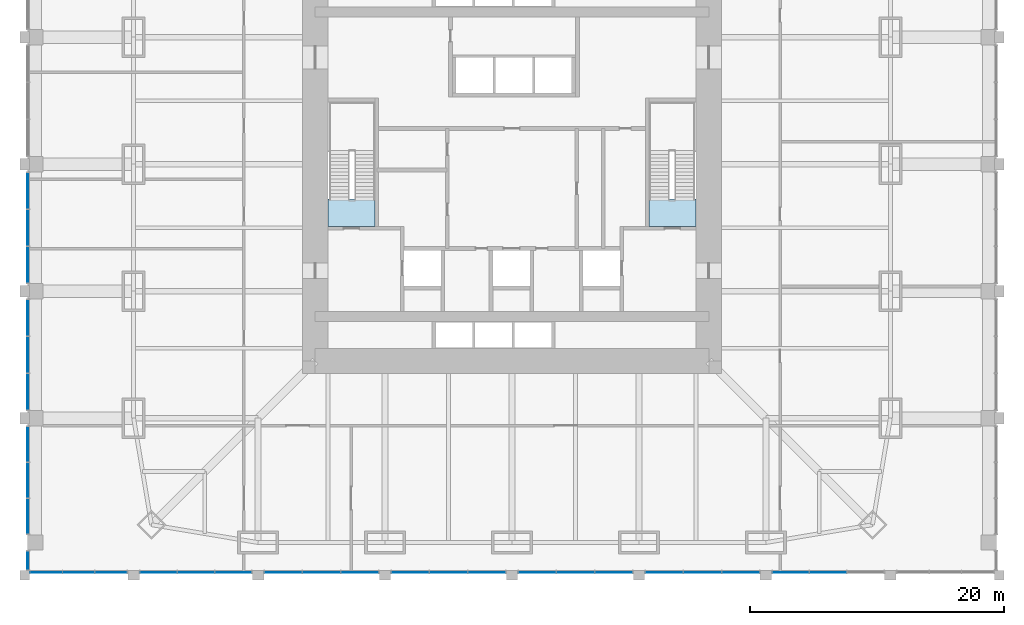
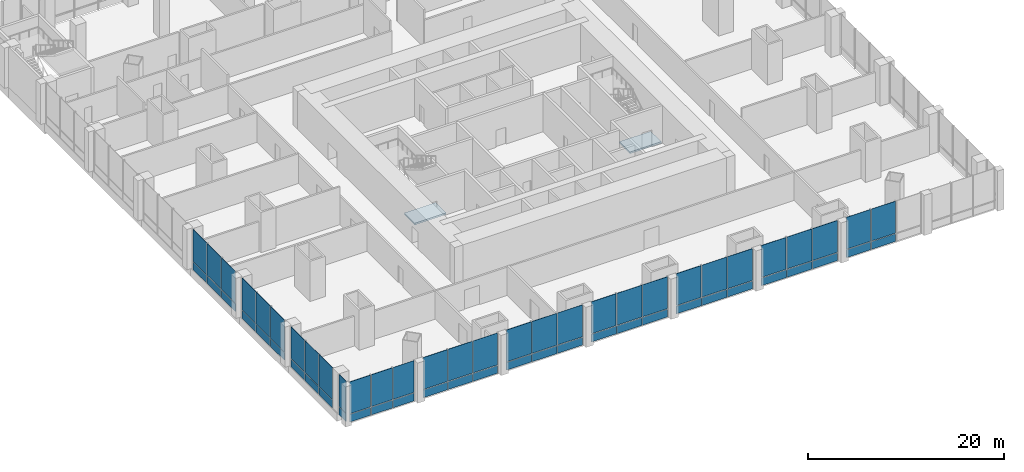
# One storey, part 13 of 24: 60 plates, 2 slabs, 13 elements without a shape of their own.
"""IFC4 building model written with IfcOpenShell, lengths in metres."""

from ifc_helpers import new_model, si_unit, direction, frame, origin, origin_2d, place, context, subcontext, project, spatial, polyline, rectangle, outline, extrude, material, layer, layer_set, type_object, element, aggregate, save


model = new_model("IFC4")

# Units and contexts
model_context = context("Model", 3, precision=1e-05, world=origin(), true_north=direction((0.0, 1.0)))
body_context = subcontext(model_context, "Body", "Model", "MODEL_VIEW")
ifc_project = project(units=[si_unit("LENGTHUNIT", "METRE"), si_unit("AREAUNIT", "SQUARE_METRE"), si_unit("VOLUMEUNIT", "CUBIC_METRE"), si_unit("PLANEANGLEUNIT", "RADIAN"), si_unit("MASSUNIT", "GRAM", prefix="KILO")], contexts=[model_context])

# Site, building, storey
site_placement = place(None, origin())
site = spatial("IfcSite", under=ifc_project, at=site_placement, CompositionType="ELEMENT")
building_placement = place(site_placement, origin())
building = spatial("IfcBuilding", under=site, at=building_placement, Name="Khuree Lantern Residences", CompositionType="ELEMENT")
storey_placement = place(building_placement, frame((0.0, 0.0, 11.0)))
storey = spatial("IfcBuildingStorey", under=building, at=storey_placement, Name="L02", CompositionType="ELEMENT", Elevation=11.0)

# Stair, slab
ifc_material_1 = material(Name="Concrete C40/50", Category="concrete")
stair_type = type_object("IfcStairType", Name="STAIR ST1 HALF TURN 3600", PredefinedType="HALF_TURN_STAIR", material=ifc_material_1)
stair_1_placement = place(storey_placement, origin())
stair_1 = element("IfcStair", 1, at=stair_1_placement, inside=storey, type_object=stair_type, Name="Stair ST1", PredefinedType="HALF_TURN_STAIR")
ifc_layer_1 = layer(ifc_material_1, 0.199951171875)
ifc_layer_set_1 = layer_set([ifc_layer_1], Name="STAIR LANDING SL1 200")
slab_type = type_object("IfcSlabType", Name="STAIR LANDING SL1 200", PredefinedType="LANDING", material=ifc_layer_set_1)
slab_1_placement = place(storey_placement, frame((0.0, 0.0, -0.199951171875)))
slab_1 = element("IfcSlab", 2, at=slab_1_placement, type_object=slab_type, Name="ST1 landing 1", PredefinedType="LANDING", context=body_context, shape_type="SweptSolid", body=[
    extrude(outline(polyline([(-14.5, -4.89990234375), (-10.800048828125, -4.89990234375), (-10.800048828125, -2.760009765625), (-14.5, -2.760009765625), (-14.5, -4.89990234375)])), origin(), (0.0, 0.0, 1.0), 0.199951171875),
])
aggregate(stair_1, [slab_1])

stair_2_placement = place(storey_placement, origin())
stair_2 = element("IfcStair", 3, at=stair_2_placement, inside=storey, type_object=stair_type, Name="Stair ST2", PredefinedType="HALF_TURN_STAIR")
slab_2_placement = place(storey_placement, frame((0.0, 0.0, -0.199951171875)))
slab_2 = element("IfcSlab", 4, at=slab_2_placement, type_object=slab_type, Name="ST2 landing 1", PredefinedType="LANDING", context=body_context, shape_type="SweptSolid", body=[
    extrude(outline(polyline([(10.800048828125, -4.89990234375), (14.5, -4.89990234375), (14.5, -2.760009765625), (10.800048828125, -2.760009765625), (10.800048828125, -4.89990234375)])), origin(), (0.0, 0.0, 1.0), 0.199951171875),
])
aggregate(stair_2, [slab_2])

# Curtain wall, plates
ifc_material_2 = material(Name="Bronze anodised aluminium", Category="aluminium")
curtain_wall_type = type_object("IfcCurtainWallType", Name="CW-P PODIUM STOREFRONT CURTAIN WALL", PredefinedType="USERDEFINED", material=ifc_material_2)
curtain_wall_1_placement = place(storey_placement, origin())
curtain_wall_1 = element("IfcCurtainWall", 5, at=curtain_wall_1_placement, inside=storey, type_object=curtain_wall_type, Name="L02 SOUTH FACE BAY 1 STOREFRONT", ObjectType="Storefront curtain wall", PredefinedType="USERDEFINED")
ifc_material_3 = material(Name="Bronze tinted laminated triple glazing", Category="glass")
ifc_layer_2 = layer(ifc_material_3, 0.0400390625)
ifc_layer_set_2 = layer_set([ifc_layer_2], Name="STOREFRONT GLASS PANEL P9")
plate_type_1 = type_object("IfcPlateType", Name="STOREFRONT GLASS PANEL P9", PredefinedType="CURTAIN_PANEL", material=ifc_layer_set_2)
plate_1_placement = place(storey_placement, frame((-36.683349609375, -32.14990234375, 1.03759765625), z_axis=(0.0, 0.0, 1.0), x_axis=(1.0, 0.0, 0.0)))
plate_1 = element("IfcPlate", 6, at=plate_1_placement, type_object=plate_type_1, Name="L02 SOUTH FACE BAY 1 PANEL 1.2", PredefinedType="CURTAIN_PANEL", context=body_context, shape_type="SweptSolid", body=[
    extrude(rectangle(XDim=2.4833984375, YDim=0.0400390625, at=origin_2d()), origin(), (0.0, 0.0, 1.0), 3.96240234375),
])
plate_2_placement = place(storey_placement, frame((-34.125, -32.14990234375, 1.03759765625), z_axis=(0.0, 0.0, 1.0), x_axis=(1.0, 0.0, 0.0)))
plate_2 = element("IfcPlate", 7, at=plate_2_placement, type_object=plate_type_1, Name="L02 SOUTH FACE BAY 1 PANEL 2.2", PredefinedType="CURTAIN_PANEL", context=body_context, shape_type="SweptSolid", body=[
    extrude(rectangle(XDim=2.4833984375, YDim=0.0400390625, at=origin_2d()), origin(), (0.0, 0.0, 1.0), 3.96240234375),
])
plate_3_placement = place(storey_placement, frame((-31.566650390625, -32.14990234375, 1.03759765625), z_axis=(0.0, 0.0, 1.0), x_axis=(1.0, 0.0, 0.0)))
plate_3 = element("IfcPlate", 8, at=plate_3_placement, type_object=plate_type_1, Name="L02 SOUTH FACE BAY 1 PANEL 3.2", PredefinedType="CURTAIN_PANEL", context=body_context, shape_type="SweptSolid", body=[
    extrude(rectangle(XDim=2.4833984375, YDim=0.0400390625, at=origin_2d()), origin(), (0.0, 0.0, 1.0), 3.96240234375),
])

curtain_wall_2_placement = place(storey_placement, origin())
curtain_wall_2 = element("IfcCurtainWall", 9, at=curtain_wall_2_placement, inside=storey, type_object=curtain_wall_type, Name="L02 SOUTH FACE BAY 2 STOREFRONT", ObjectType="Storefront curtain wall", PredefinedType="USERDEFINED")
plate_4_placement = place(storey_placement, frame((-27.841552734375, -32.14990234375, 1.03759765625), z_axis=(0.0, 0.0, 1.0), x_axis=(1.0, 0.0, 0.0)))
plate_4 = element("IfcPlate", 10, at=plate_4_placement, type_object=plate_type_1, Name="L02 SOUTH FACE BAY 2 PANEL 1.2", PredefinedType="CURTAIN_PANEL", context=body_context, shape_type="SweptSolid", body=[
    extrude(rectangle(XDim=2.86669921875, YDim=0.0400390625, at=origin_2d()), origin(), (0.0, 0.0, 1.0), 3.96240234375),
])
plate_5_placement = place(storey_placement, frame((-24.89990234375, -32.14990234375, 1.03759765625), z_axis=(0.0, 0.0, 1.0), x_axis=(1.0, 0.0, 0.0)))
plate_5 = element("IfcPlate", 11, at=plate_5_placement, type_object=plate_type_1, Name="L02 SOUTH FACE BAY 2 PANEL 2.2", PredefinedType="CURTAIN_PANEL", context=body_context, shape_type="SweptSolid", body=[
    extrude(rectangle(XDim=2.86669921875, YDim=0.0400390625, at=origin_2d()), origin(), (0.0, 0.0, 1.0), 3.96240234375),
])
plate_6_placement = place(storey_placement, frame((-21.958251953125, -32.14990234375, 1.03759765625), z_axis=(0.0, 0.0, 1.0), x_axis=(1.0, 0.0, 0.0)))
plate_6 = element("IfcPlate", 12, at=plate_6_placement, type_object=plate_type_1, Name="L02 SOUTH FACE BAY 2 PANEL 3.2", PredefinedType="CURTAIN_PANEL", context=body_context, shape_type="SweptSolid", body=[
    extrude(rectangle(XDim=2.86669921875, YDim=0.0400390625, at=origin_2d()), origin(), (0.0, 0.0, 1.0), 3.96240234375),
])

curtain_wall_3_placement = place(storey_placement, origin())
curtain_wall_3 = element("IfcCurtainWall", 13, at=curtain_wall_3_placement, inside=storey, type_object=curtain_wall_type, Name="L02 SOUTH FACE BAY 3 STOREFRONT", ObjectType="Storefront curtain wall", PredefinedType="USERDEFINED")
plate_7_placement = place(storey_placement, frame((-18.00830078125, -32.14990234375, 1.03759765625), z_axis=(0.0, 0.0, 1.0), x_axis=(1.0, 0.0, 0.0)))
plate_7 = element("IfcPlate", 14, at=plate_7_placement, type_object=plate_type_1, Name="L02 SOUTH FACE BAY 3 PANEL 1.2", PredefinedType="CURTAIN_PANEL", context=body_context, shape_type="SweptSolid", body=[
    extrude(rectangle(XDim=2.933349609375, YDim=0.0400390625, at=origin_2d()), origin(), (0.0, 0.0, 1.0), 3.96240234375),
])
plate_8_placement = place(storey_placement, frame((-15.0, -32.14990234375, 1.03759765625), z_axis=(0.0, 0.0, 1.0), x_axis=(1.0, 0.0, 0.0)))
plate_8 = element("IfcPlate", 15, at=plate_8_placement, type_object=plate_type_1, Name="L02 SOUTH FACE BAY 3 PANEL 2.2", PredefinedType="CURTAIN_PANEL", context=body_context, shape_type="SweptSolid", body=[
    extrude(rectangle(XDim=2.933349609375, YDim=0.0400390625, at=origin_2d()), origin(), (0.0, 0.0, 1.0), 3.96240234375),
])
plate_9_placement = place(storey_placement, frame((-11.99169921875, -32.14990234375, 1.03759765625), z_axis=(0.0, 0.0, 1.0), x_axis=(1.0, 0.0, 0.0)))
plate_9 = element("IfcPlate", 16, at=plate_9_placement, type_object=plate_type_1, Name="L02 SOUTH FACE BAY 3 PANEL 3.2", PredefinedType="CURTAIN_PANEL", context=body_context, shape_type="SweptSolid", body=[
    extrude(rectangle(XDim=2.933349609375, YDim=0.0400390625, at=origin_2d()), origin(), (0.0, 0.0, 1.0), 3.96240234375),
])

curtain_wall_4_placement = place(storey_placement, origin())
curtain_wall_4 = element("IfcCurtainWall", 17, at=curtain_wall_4_placement, inside=storey, type_object=curtain_wall_type, Name="L02 SOUTH FACE BAY 4 STOREFRONT", ObjectType="Storefront curtain wall", PredefinedType="USERDEFINED")
plate_10_placement = place(storey_placement, frame((-8.00830078125, -32.14990234375, 1.03759765625), z_axis=(0.0, 0.0, 1.0), x_axis=(1.0, 0.0, 0.0)))
plate_10 = element("IfcPlate", 18, at=plate_10_placement, type_object=plate_type_1, Name="L02 SOUTH FACE BAY 4 PANEL 1.2", PredefinedType="CURTAIN_PANEL", context=body_context, shape_type="SweptSolid", body=[
    extrude(rectangle(XDim=2.933349609375, YDim=0.0400390625, at=origin_2d()), origin(), (0.0, 0.0, 1.0), 3.96240234375),
])
plate_11_placement = place(storey_placement, frame((-5.0, -32.14990234375, 1.03759765625), z_axis=(0.0, 0.0, 1.0), x_axis=(1.0, 0.0, 0.0)))
plate_11 = element("IfcPlate", 19, at=plate_11_placement, type_object=plate_type_1, Name="L02 SOUTH FACE BAY 4 PANEL 2.2", PredefinedType="CURTAIN_PANEL", context=body_context, shape_type="SweptSolid", body=[
    extrude(rectangle(XDim=2.933349609375, YDim=0.0400390625, at=origin_2d()), origin(), (0.0, 0.0, 1.0), 3.96240234375),
])
plate_12_placement = place(storey_placement, frame((-1.99169921875, -32.14990234375, 1.03759765625), z_axis=(0.0, 0.0, 1.0), x_axis=(1.0, 0.0, 0.0)))
plate_12 = element("IfcPlate", 20, at=plate_12_placement, type_object=plate_type_1, Name="L02 SOUTH FACE BAY 4 PANEL 3.2", PredefinedType="CURTAIN_PANEL", context=body_context, shape_type="SweptSolid", body=[
    extrude(rectangle(XDim=2.933349609375, YDim=0.0400390625, at=origin_2d()), origin(), (0.0, 0.0, 1.0), 3.96240234375),
])

curtain_wall_5_placement = place(storey_placement, origin())
curtain_wall_5 = element("IfcCurtainWall", 21, at=curtain_wall_5_placement, inside=storey, type_object=curtain_wall_type, Name="L02 SOUTH FACE BAY 5 STOREFRONT", ObjectType="Storefront curtain wall", PredefinedType="USERDEFINED")
plate_13_placement = place(storey_placement, frame((1.99169921875, -32.14990234375, 1.03759765625), z_axis=(0.0, 0.0, 1.0), x_axis=(1.0, 0.0, 0.0)))
plate_13 = element("IfcPlate", 22, at=plate_13_placement, type_object=plate_type_1, Name="L02 SOUTH FACE BAY 5 PANEL 1.2", PredefinedType="CURTAIN_PANEL", context=body_context, shape_type="SweptSolid", body=[
    extrude(rectangle(XDim=2.933349609375, YDim=0.0400390625, at=origin_2d()), origin(), (0.0, 0.0, 1.0), 3.96240234375),
])
plate_14_placement = place(storey_placement, frame((5.0, -32.14990234375, 1.03759765625), z_axis=(0.0, 0.0, 1.0), x_axis=(1.0, 0.0, 0.0)))
plate_14 = element("IfcPlate", 23, at=plate_14_placement, type_object=plate_type_1, Name="L02 SOUTH FACE BAY 5 PANEL 2.2", PredefinedType="CURTAIN_PANEL", context=body_context, shape_type="SweptSolid", body=[
    extrude(rectangle(XDim=2.933349609375, YDim=0.0400390625, at=origin_2d()), origin(), (0.0, 0.0, 1.0), 3.96240234375),
])
plate_15_placement = place(storey_placement, frame((8.00830078125, -32.14990234375, 1.03759765625), z_axis=(0.0, 0.0, 1.0), x_axis=(1.0, 0.0, 0.0)))
plate_15 = element("IfcPlate", 24, at=plate_15_placement, type_object=plate_type_1, Name="L02 SOUTH FACE BAY 5 PANEL 3.2", PredefinedType="CURTAIN_PANEL", context=body_context, shape_type="SweptSolid", body=[
    extrude(rectangle(XDim=2.933349609375, YDim=0.0400390625, at=origin_2d()), origin(), (0.0, 0.0, 1.0), 3.96240234375),
])

curtain_wall_6_placement = place(storey_placement, origin())
curtain_wall_6 = element("IfcCurtainWall", 25, at=curtain_wall_6_placement, inside=storey, type_object=curtain_wall_type, Name="L02 SOUTH FACE BAY 6 STOREFRONT", ObjectType="Storefront curtain wall", PredefinedType="USERDEFINED")
plate_16_placement = place(storey_placement, frame((11.99169921875, -32.14990234375, 1.03759765625), z_axis=(0.0, 0.0, 1.0), x_axis=(1.0, 0.0, 0.0)))
plate_16 = element("IfcPlate", 26, at=plate_16_placement, type_object=plate_type_1, Name="L02 SOUTH FACE BAY 6 PANEL 1.2", PredefinedType="CURTAIN_PANEL", context=body_context, shape_type="SweptSolid", body=[
    extrude(rectangle(XDim=2.933349609375, YDim=0.0400390625, at=origin_2d()), origin(), (0.0, 0.0, 1.0), 3.96240234375),
])
plate_17_placement = place(storey_placement, frame((15.0, -32.14990234375, 1.03759765625), z_axis=(0.0, 0.0, 1.0), x_axis=(1.0, 0.0, 0.0)))
plate_17 = element("IfcPlate", 27, at=plate_17_placement, type_object=plate_type_1, Name="L02 SOUTH FACE BAY 6 PANEL 2.2", PredefinedType="CURTAIN_PANEL", context=body_context, shape_type="SweptSolid", body=[
    extrude(rectangle(XDim=2.933349609375, YDim=0.0400390625, at=origin_2d()), origin(), (0.0, 0.0, 1.0), 3.96240234375),
])
plate_18_placement = place(storey_placement, frame((18.00830078125, -32.14990234375, 1.03759765625), z_axis=(0.0, 0.0, 1.0), x_axis=(1.0, 0.0, 0.0)))
plate_18 = element("IfcPlate", 28, at=plate_18_placement, type_object=plate_type_1, Name="L02 SOUTH FACE BAY 6 PANEL 3.2", PredefinedType="CURTAIN_PANEL", context=body_context, shape_type="SweptSolid", body=[
    extrude(rectangle(XDim=2.933349609375, YDim=0.0400390625, at=origin_2d()), origin(), (0.0, 0.0, 1.0), 3.96240234375),
])

curtain_wall_7_placement = place(storey_placement, origin())
curtain_wall_7 = element("IfcCurtainWall", 29, at=curtain_wall_7_placement, inside=storey, type_object=curtain_wall_type, Name="L02 SOUTH FACE BAY 7 STOREFRONT", ObjectType="Storefront curtain wall", PredefinedType="USERDEFINED")
plate_19_placement = place(storey_placement, frame((21.958251953125, -32.14990234375, 1.03759765625), z_axis=(0.0, 0.0, 1.0), x_axis=(1.0, 0.0, 0.0)))
plate_19 = element("IfcPlate", 30, at=plate_19_placement, type_object=plate_type_1, Name="L02 SOUTH FACE BAY 7 PANEL 1.2", PredefinedType="CURTAIN_PANEL", context=body_context, shape_type="SweptSolid", body=[
    extrude(rectangle(XDim=2.86669921875, YDim=0.0400390625, at=origin_2d()), origin(), (0.0, 0.0, 1.0), 3.96240234375),
])
plate_20_placement = place(storey_placement, frame((24.89990234375, -32.14990234375, 1.03759765625), z_axis=(0.0, 0.0, 1.0), x_axis=(1.0, 0.0, 0.0)))
plate_20 = element("IfcPlate", 31, at=plate_20_placement, type_object=plate_type_1, Name="L02 SOUTH FACE BAY 7 PANEL 2.2", PredefinedType="CURTAIN_PANEL", context=body_context, shape_type="SweptSolid", body=[
    extrude(rectangle(XDim=2.86669921875, YDim=0.0400390625, at=origin_2d()), origin(), (0.0, 0.0, 1.0), 3.96240234375),
])

curtain_wall_8_placement = place(storey_placement, origin())
curtain_wall_8 = element("IfcCurtainWall", 32, at=curtain_wall_8_placement, inside=storey, type_object=curtain_wall_type, Name="L02 WEST FACE BAY 6 STOREFRONT", ObjectType="Storefront curtain wall", PredefinedType="USERDEFINED")
plate_21_placement = place(storey_placement, frame((-38.14990234375, -2.091552734375, 1.03759765625), z_axis=(0.0, 0.0, 1.0), x_axis=(0.0, -1.0, 0.0)))
plate_21 = element("IfcPlate", 33, at=plate_21_placement, type_object=plate_type_1, Name="L02 WEST FACE BAY 6 PANEL 1.2", PredefinedType="CURTAIN_PANEL", context=body_context, shape_type="SweptSolid", body=[
    extrude(rectangle(XDim=2.833251953125, YDim=0.0400390625, at=origin_2d()), origin(), (0.0, 0.0, 1.0), 3.96240234375),
])
plate_22_placement = place(storey_placement, frame((-38.14990234375, -5.0, 1.03759765625), z_axis=(0.0, 0.0, 1.0), x_axis=(0.0, -1.0, 0.0)))
plate_22 = element("IfcPlate", 34, at=plate_22_placement, type_object=plate_type_1, Name="L02 WEST FACE BAY 6 PANEL 2.2", PredefinedType="CURTAIN_PANEL", context=body_context, shape_type="SweptSolid", body=[
    extrude(rectangle(XDim=2.833251953125, YDim=0.0400390625, at=origin_2d()), origin(), (0.0, 0.0, 1.0), 3.96240234375),
])
plate_23_placement = place(storey_placement, frame((-38.14990234375, -7.908447265625, 1.03759765625), z_axis=(0.0, 0.0, 1.0), x_axis=(0.0, -1.0, 0.0)))
plate_23 = element("IfcPlate", 35, at=plate_23_placement, type_object=plate_type_1, Name="L02 WEST FACE BAY 6 PANEL 3.2", PredefinedType="CURTAIN_PANEL", context=body_context, shape_type="SweptSolid", body=[
    extrude(rectangle(XDim=2.833251953125, YDim=0.0400390625, at=origin_2d()), origin(), (0.0, 0.0, 1.0), 3.96240234375),
])

curtain_wall_9_placement = place(storey_placement, origin())
curtain_wall_9 = element("IfcCurtainWall", 36, at=curtain_wall_9_placement, inside=storey, type_object=curtain_wall_type, Name="L02 WEST FACE BAY 7 STOREFRONT", ObjectType="Storefront curtain wall", PredefinedType="USERDEFINED")
plate_24_placement = place(storey_placement, frame((-38.14990234375, -12.091552734375, 1.03759765625), z_axis=(0.0, 0.0, 1.0), x_axis=(0.0, -1.0, 0.0)))
plate_24 = element("IfcPlate", 37, at=plate_24_placement, type_object=plate_type_1, Name="L02 WEST FACE BAY 7 PANEL 1.2", PredefinedType="CURTAIN_PANEL", context=body_context, shape_type="SweptSolid", body=[
    extrude(rectangle(XDim=2.833251953125, YDim=0.0400390625, at=origin_2d()), origin(), (0.0, 0.0, 1.0), 3.96240234375),
])
plate_25_placement = place(storey_placement, frame((-38.14990234375, -15.0, 1.03759765625), z_axis=(0.0, 0.0, 1.0), x_axis=(0.0, -1.0, 0.0)))
plate_25 = element("IfcPlate", 38, at=plate_25_placement, type_object=plate_type_1, Name="L02 WEST FACE BAY 7 PANEL 2.2", PredefinedType="CURTAIN_PANEL", context=body_context, shape_type="SweptSolid", body=[
    extrude(rectangle(XDim=2.833251953125, YDim=0.0400390625, at=origin_2d()), origin(), (0.0, 0.0, 1.0), 3.96240234375),
])
plate_26_placement = place(storey_placement, frame((-38.14990234375, -17.908447265625, 1.03759765625), z_axis=(0.0, 0.0, 1.0), x_axis=(0.0, -1.0, 0.0)))
plate_26 = element("IfcPlate", 39, at=plate_26_placement, type_object=plate_type_1, Name="L02 WEST FACE BAY 7 PANEL 3.2", PredefinedType="CURTAIN_PANEL", context=body_context, shape_type="SweptSolid", body=[
    extrude(rectangle(XDim=2.833251953125, YDim=0.0400390625, at=origin_2d()), origin(), (0.0, 0.0, 1.0), 3.96240234375),
])

curtain_wall_10_placement = place(storey_placement, origin())
curtain_wall_10 = element("IfcCurtainWall", 40, at=curtain_wall_10_placement, inside=storey, type_object=curtain_wall_type, Name="L02 WEST FACE BAY 8 STOREFRONT", ObjectType="Storefront curtain wall", PredefinedType="USERDEFINED")
plate_27_placement = place(storey_placement, frame((-38.14990234375, -22.058349609375, 1.03759765625), z_axis=(0.0, 0.0, 1.0), x_axis=(0.0, -1.0, 0.0)))
plate_27 = element("IfcPlate", 41, at=plate_27_placement, type_object=plate_type_1, Name="L02 WEST FACE BAY 8 PANEL 1.2", PredefinedType="CURTAIN_PANEL", context=body_context, shape_type="SweptSolid", body=[
    extrude(rectangle(XDim=2.7666015625, YDim=0.0400390625, at=origin_2d()), origin(), (0.0, 0.0, 1.0), 3.96240234375),
])
plate_28_placement = place(storey_placement, frame((-38.14990234375, -24.89990234375, 1.03759765625), z_axis=(0.0, 0.0, 1.0), x_axis=(0.0, -1.0, 0.0)))
plate_28 = element("IfcPlate", 42, at=plate_28_placement, type_object=plate_type_1, Name="L02 WEST FACE BAY 8 PANEL 2.2", PredefinedType="CURTAIN_PANEL", context=body_context, shape_type="SweptSolid", body=[
    extrude(rectangle(XDim=2.7666015625, YDim=0.0400390625, at=origin_2d()), origin(), (0.0, 0.0, 1.0), 3.96240234375),
])
plate_29_placement = place(storey_placement, frame((-38.14990234375, -27.74169921875, 1.03759765625), z_axis=(0.0, 0.0, 1.0), x_axis=(0.0, -1.0, 0.0)))
plate_29 = element("IfcPlate", 43, at=plate_29_placement, type_object=plate_type_1, Name="L02 WEST FACE BAY 8 PANEL 3.2", PredefinedType="CURTAIN_PANEL", context=body_context, shape_type="SweptSolid", body=[
    extrude(rectangle(XDim=2.7666015625, YDim=0.0400390625, at=origin_2d()), origin(), (0.0, 0.0, 1.0), 3.96240234375),
])

# Curtain wall, plate
curtain_wall_11_placement = place(storey_placement, origin())
curtain_wall_11 = element("IfcCurtainWall", 44, at=curtain_wall_11_placement, inside=storey, type_object=curtain_wall_type, Name="L02 WEST FACE BAY 8B STOREFRONT", ObjectType="Storefront curtain wall", PredefinedType="USERDEFINED")
plate_30_placement = place(storey_placement, frame((-38.14990234375, -31.199951171875, 1.03759765625), z_axis=(0.0, 0.0, 1.0), x_axis=(0.0, -1.0, 0.0)))
plate_30 = element("IfcPlate", 45, at=plate_30_placement, type_object=plate_type_1, Name="L02 WEST FACE BAY 8B PANEL 1.2", PredefinedType="CURTAIN_PANEL", context=body_context, shape_type="SweptSolid", body=[
    extrude(rectangle(XDim=1.449951171875, YDim=0.0400390625, at=origin_2d()), origin(), (0.0, 0.0, 1.0), 3.96240234375),
])

# Plate
ifc_material_4 = material(Name="Bronze anodised aluminium insulated spandrel", Category="aluminium")
ifc_layer_3 = layer(ifc_material_4, 0.06005859375)
ifc_layer_set_3 = layer_set([ifc_layer_3], Name="STOREFRONT SPANDREL PANEL P10")
plate_type_2 = type_object("IfcPlateType", Name="STOREFRONT SPANDREL PANEL P10", PredefinedType="CURTAIN_PANEL", material=ifc_layer_set_3)
plate_31_placement = place(storey_placement, frame((-36.683349609375, -32.14990234375, 0.0), z_axis=(0.0, 0.0, 1.0), x_axis=(1.0, 0.0, 0.0)))
plate_31 = element("IfcPlate", 46, at=plate_31_placement, type_object=plate_type_2, Name="L02 SOUTH FACE BAY 1 PANEL 1.1", PredefinedType="CURTAIN_PANEL", context=body_context, shape_type="SweptSolid", body=[
    extrude(rectangle(XDim=2.4833984375, YDim=0.06005859375, at=origin_2d()), origin(), (0.0, 0.0, 1.0), 0.96240234375),
])

plate_32_placement = place(storey_placement, frame((-34.125, -32.14990234375, 0.0), z_axis=(0.0, 0.0, 1.0), x_axis=(1.0, 0.0, 0.0)))
plate_32 = element("IfcPlate", 47, at=plate_32_placement, type_object=plate_type_2, Name="L02 SOUTH FACE BAY 1 PANEL 2.1", PredefinedType="CURTAIN_PANEL", context=body_context, shape_type="SweptSolid", body=[
    extrude(rectangle(XDim=2.4833984375, YDim=0.06005859375, at=origin_2d()), origin(), (0.0, 0.0, 1.0), 0.96240234375),
])

plate_33_placement = place(storey_placement, frame((-31.566650390625, -32.14990234375, 0.0), z_axis=(0.0, 0.0, 1.0), x_axis=(1.0, 0.0, 0.0)))
plate_33 = element("IfcPlate", 48, at=plate_33_placement, type_object=plate_type_2, Name="L02 SOUTH FACE BAY 1 PANEL 3.1", PredefinedType="CURTAIN_PANEL", context=body_context, shape_type="SweptSolid", body=[
    extrude(rectangle(XDim=2.4833984375, YDim=0.06005859375, at=origin_2d()), origin(), (0.0, 0.0, 1.0), 0.96240234375),
])

aggregate(curtain_wall_1, [plate_31, plate_1, plate_32, plate_2, plate_33, plate_3])

plate_34_placement = place(storey_placement, frame((-27.841552734375, -32.14990234375, 0.0), z_axis=(0.0, 0.0, 1.0), x_axis=(1.0, 0.0, 0.0)))
plate_34 = element("IfcPlate", 49, at=plate_34_placement, type_object=plate_type_2, Name="L02 SOUTH FACE BAY 2 PANEL 1.1", PredefinedType="CURTAIN_PANEL", context=body_context, shape_type="SweptSolid", body=[
    extrude(rectangle(XDim=2.86669921875, YDim=0.06005859375, at=origin_2d()), origin(), (0.0, 0.0, 1.0), 0.96240234375),
])

plate_35_placement = place(storey_placement, frame((-24.89990234375, -32.14990234375, 0.0), z_axis=(0.0, 0.0, 1.0), x_axis=(1.0, 0.0, 0.0)))
plate_35 = element("IfcPlate", 50, at=plate_35_placement, type_object=plate_type_2, Name="L02 SOUTH FACE BAY 2 PANEL 2.1", PredefinedType="CURTAIN_PANEL", context=body_context, shape_type="SweptSolid", body=[
    extrude(rectangle(XDim=2.86669921875, YDim=0.06005859375, at=origin_2d()), origin(), (0.0, 0.0, 1.0), 0.96240234375),
])

plate_36_placement = place(storey_placement, frame((-21.958251953125, -32.14990234375, 0.0), z_axis=(0.0, 0.0, 1.0), x_axis=(1.0, 0.0, 0.0)))
plate_36 = element("IfcPlate", 51, at=plate_36_placement, type_object=plate_type_2, Name="L02 SOUTH FACE BAY 2 PANEL 3.1", PredefinedType="CURTAIN_PANEL", context=body_context, shape_type="SweptSolid", body=[
    extrude(rectangle(XDim=2.86669921875, YDim=0.06005859375, at=origin_2d()), origin(), (0.0, 0.0, 1.0), 0.96240234375),
])

aggregate(curtain_wall_2, [plate_34, plate_4, plate_35, plate_5, plate_36, plate_6])

plate_37_placement = place(storey_placement, frame((-18.00830078125, -32.14990234375, 0.0), z_axis=(0.0, 0.0, 1.0), x_axis=(1.0, 0.0, 0.0)))
plate_37 = element("IfcPlate", 52, at=plate_37_placement, type_object=plate_type_2, Name="L02 SOUTH FACE BAY 3 PANEL 1.1", PredefinedType="CURTAIN_PANEL", context=body_context, shape_type="SweptSolid", body=[
    extrude(rectangle(XDim=2.933349609375, YDim=0.06005859375, at=origin_2d()), origin(), (0.0, 0.0, 1.0), 0.96240234375),
])

plate_38_placement = place(storey_placement, frame((-15.0, -32.14990234375, 0.0), z_axis=(0.0, 0.0, 1.0), x_axis=(1.0, 0.0, 0.0)))
plate_38 = element("IfcPlate", 53, at=plate_38_placement, type_object=plate_type_2, Name="L02 SOUTH FACE BAY 3 PANEL 2.1", PredefinedType="CURTAIN_PANEL", context=body_context, shape_type="SweptSolid", body=[
    extrude(rectangle(XDim=2.933349609375, YDim=0.06005859375, at=origin_2d()), origin(), (0.0, 0.0, 1.0), 0.96240234375),
])

plate_39_placement = place(storey_placement, frame((-11.99169921875, -32.14990234375, 0.0), z_axis=(0.0, 0.0, 1.0), x_axis=(1.0, 0.0, 0.0)))
plate_39 = element("IfcPlate", 54, at=plate_39_placement, type_object=plate_type_2, Name="L02 SOUTH FACE BAY 3 PANEL 3.1", PredefinedType="CURTAIN_PANEL", context=body_context, shape_type="SweptSolid", body=[
    extrude(rectangle(XDim=2.933349609375, YDim=0.06005859375, at=origin_2d()), origin(), (0.0, 0.0, 1.0), 0.96240234375),
])

aggregate(curtain_wall_3, [plate_37, plate_7, plate_38, plate_8, plate_39, plate_9])

plate_40_placement = place(storey_placement, frame((-8.00830078125, -32.14990234375, 0.0), z_axis=(0.0, 0.0, 1.0), x_axis=(1.0, 0.0, 0.0)))
plate_40 = element("IfcPlate", 55, at=plate_40_placement, type_object=plate_type_2, Name="L02 SOUTH FACE BAY 4 PANEL 1.1", PredefinedType="CURTAIN_PANEL", context=body_context, shape_type="SweptSolid", body=[
    extrude(rectangle(XDim=2.933349609375, YDim=0.06005859375, at=origin_2d()), origin(), (0.0, 0.0, 1.0), 0.96240234375),
])

plate_41_placement = place(storey_placement, frame((-5.0, -32.14990234375, 0.0), z_axis=(0.0, 0.0, 1.0), x_axis=(1.0, 0.0, 0.0)))
plate_41 = element("IfcPlate", 56, at=plate_41_placement, type_object=plate_type_2, Name="L02 SOUTH FACE BAY 4 PANEL 2.1", PredefinedType="CURTAIN_PANEL", context=body_context, shape_type="SweptSolid", body=[
    extrude(rectangle(XDim=2.933349609375, YDim=0.06005859375, at=origin_2d()), origin(), (0.0, 0.0, 1.0), 0.96240234375),
])

plate_42_placement = place(storey_placement, frame((-1.99169921875, -32.14990234375, 0.0), z_axis=(0.0, 0.0, 1.0), x_axis=(1.0, 0.0, 0.0)))
plate_42 = element("IfcPlate", 57, at=plate_42_placement, type_object=plate_type_2, Name="L02 SOUTH FACE BAY 4 PANEL 3.1", PredefinedType="CURTAIN_PANEL", context=body_context, shape_type="SweptSolid", body=[
    extrude(rectangle(XDim=2.933349609375, YDim=0.06005859375, at=origin_2d()), origin(), (0.0, 0.0, 1.0), 0.96240234375),
])

aggregate(curtain_wall_4, [plate_40, plate_10, plate_41, plate_11, plate_42, plate_12])

plate_43_placement = place(storey_placement, frame((1.99169921875, -32.14990234375, 0.0), z_axis=(0.0, 0.0, 1.0), x_axis=(1.0, 0.0, 0.0)))
plate_43 = element("IfcPlate", 58, at=plate_43_placement, type_object=plate_type_2, Name="L02 SOUTH FACE BAY 5 PANEL 1.1", PredefinedType="CURTAIN_PANEL", context=body_context, shape_type="SweptSolid", body=[
    extrude(rectangle(XDim=2.933349609375, YDim=0.06005859375, at=origin_2d()), origin(), (0.0, 0.0, 1.0), 0.96240234375),
])

plate_44_placement = place(storey_placement, frame((5.0, -32.14990234375, 0.0), z_axis=(0.0, 0.0, 1.0), x_axis=(1.0, 0.0, 0.0)))
plate_44 = element("IfcPlate", 59, at=plate_44_placement, type_object=plate_type_2, Name="L02 SOUTH FACE BAY 5 PANEL 2.1", PredefinedType="CURTAIN_PANEL", context=body_context, shape_type="SweptSolid", body=[
    extrude(rectangle(XDim=2.933349609375, YDim=0.06005859375, at=origin_2d()), origin(), (0.0, 0.0, 1.0), 0.96240234375),
])

plate_45_placement = place(storey_placement, frame((8.00830078125, -32.14990234375, 0.0), z_axis=(0.0, 0.0, 1.0), x_axis=(1.0, 0.0, 0.0)))
plate_45 = element("IfcPlate", 60, at=plate_45_placement, type_object=plate_type_2, Name="L02 SOUTH FACE BAY 5 PANEL 3.1", PredefinedType="CURTAIN_PANEL", context=body_context, shape_type="SweptSolid", body=[
    extrude(rectangle(XDim=2.933349609375, YDim=0.06005859375, at=origin_2d()), origin(), (0.0, 0.0, 1.0), 0.96240234375),
])

aggregate(curtain_wall_5, [plate_43, plate_13, plate_44, plate_14, plate_45, plate_15])

plate_46_placement = place(storey_placement, frame((11.99169921875, -32.14990234375, 0.0), z_axis=(0.0, 0.0, 1.0), x_axis=(1.0, 0.0, 0.0)))
plate_46 = element("IfcPlate", 61, at=plate_46_placement, type_object=plate_type_2, Name="L02 SOUTH FACE BAY 6 PANEL 1.1", PredefinedType="CURTAIN_PANEL", context=body_context, shape_type="SweptSolid", body=[
    extrude(rectangle(XDim=2.933349609375, YDim=0.06005859375, at=origin_2d()), origin(), (0.0, 0.0, 1.0), 0.96240234375),
])

plate_47_placement = place(storey_placement, frame((15.0, -32.14990234375, 0.0), z_axis=(0.0, 0.0, 1.0), x_axis=(1.0, 0.0, 0.0)))
plate_47 = element("IfcPlate", 62, at=plate_47_placement, type_object=plate_type_2, Name="L02 SOUTH FACE BAY 6 PANEL 2.1", PredefinedType="CURTAIN_PANEL", context=body_context, shape_type="SweptSolid", body=[
    extrude(rectangle(XDim=2.933349609375, YDim=0.06005859375, at=origin_2d()), origin(), (0.0, 0.0, 1.0), 0.96240234375),
])

plate_48_placement = place(storey_placement, frame((18.00830078125, -32.14990234375, 0.0), z_axis=(0.0, 0.0, 1.0), x_axis=(1.0, 0.0, 0.0)))
plate_48 = element("IfcPlate", 63, at=plate_48_placement, type_object=plate_type_2, Name="L02 SOUTH FACE BAY 6 PANEL 3.1", PredefinedType="CURTAIN_PANEL", context=body_context, shape_type="SweptSolid", body=[
    extrude(rectangle(XDim=2.933349609375, YDim=0.06005859375, at=origin_2d()), origin(), (0.0, 0.0, 1.0), 0.96240234375),
])

aggregate(curtain_wall_6, [plate_46, plate_16, plate_47, plate_17, plate_48, plate_18])

plate_49_placement = place(storey_placement, frame((21.958251953125, -32.14990234375, 0.0), z_axis=(0.0, 0.0, 1.0), x_axis=(1.0, 0.0, 0.0)))
plate_49 = element("IfcPlate", 64, at=plate_49_placement, type_object=plate_type_2, Name="L02 SOUTH FACE BAY 7 PANEL 1.1", PredefinedType="CURTAIN_PANEL", context=body_context, shape_type="SweptSolid", body=[
    extrude(rectangle(XDim=2.86669921875, YDim=0.06005859375, at=origin_2d()), origin(), (0.0, 0.0, 1.0), 0.96240234375),
])

plate_50_placement = place(storey_placement, frame((24.89990234375, -32.14990234375, 0.0), z_axis=(0.0, 0.0, 1.0), x_axis=(1.0, 0.0, 0.0)))
plate_50 = element("IfcPlate", 65, at=plate_50_placement, type_object=plate_type_2, Name="L02 SOUTH FACE BAY 7 PANEL 2.1", PredefinedType="CURTAIN_PANEL", context=body_context, shape_type="SweptSolid", body=[
    extrude(rectangle(XDim=2.86669921875, YDim=0.06005859375, at=origin_2d()), origin(), (0.0, 0.0, 1.0), 0.96240234375),
])

aggregate(curtain_wall_7, [plate_49, plate_19, plate_50, plate_20])

plate_51_placement = place(storey_placement, frame((-38.14990234375, -2.091552734375, 0.0), z_axis=(0.0, 0.0, 1.0), x_axis=(0.0, -1.0, 0.0)))
plate_51 = element("IfcPlate", 66, at=plate_51_placement, type_object=plate_type_2, Name="L02 WEST FACE BAY 6 PANEL 1.1", PredefinedType="CURTAIN_PANEL", context=body_context, shape_type="SweptSolid", body=[
    extrude(rectangle(XDim=2.833251953125, YDim=0.06005859375, at=origin_2d()), origin(), (0.0, 0.0, 1.0), 0.96240234375),
])

plate_52_placement = place(storey_placement, frame((-38.14990234375, -5.0, 0.0), z_axis=(0.0, 0.0, 1.0), x_axis=(0.0, -1.0, 0.0)))
plate_52 = element("IfcPlate", 67, at=plate_52_placement, type_object=plate_type_2, Name="L02 WEST FACE BAY 6 PANEL 2.1", PredefinedType="CURTAIN_PANEL", context=body_context, shape_type="SweptSolid", body=[
    extrude(rectangle(XDim=2.833251953125, YDim=0.06005859375, at=origin_2d()), origin(), (0.0, 0.0, 1.0), 0.96240234375),
])

plate_53_placement = place(storey_placement, frame((-38.14990234375, -7.908447265625, 0.0), z_axis=(0.0, 0.0, 1.0), x_axis=(0.0, -1.0, 0.0)))
plate_53 = element("IfcPlate", 68, at=plate_53_placement, type_object=plate_type_2, Name="L02 WEST FACE BAY 6 PANEL 3.1", PredefinedType="CURTAIN_PANEL", context=body_context, shape_type="SweptSolid", body=[
    extrude(rectangle(XDim=2.833251953125, YDim=0.06005859375, at=origin_2d()), origin(), (0.0, 0.0, 1.0), 0.96240234375),
])

aggregate(curtain_wall_8, [plate_51, plate_21, plate_52, plate_22, plate_53, plate_23])

plate_54_placement = place(storey_placement, frame((-38.14990234375, -12.091552734375, 0.0), z_axis=(0.0, 0.0, 1.0), x_axis=(0.0, -1.0, 0.0)))
plate_54 = element("IfcPlate", 69, at=plate_54_placement, type_object=plate_type_2, Name="L02 WEST FACE BAY 7 PANEL 1.1", PredefinedType="CURTAIN_PANEL", context=body_context, shape_type="SweptSolid", body=[
    extrude(rectangle(XDim=2.833251953125, YDim=0.06005859375, at=origin_2d()), origin(), (0.0, 0.0, 1.0), 0.96240234375),
])

plate_55_placement = place(storey_placement, frame((-38.14990234375, -15.0, 0.0), z_axis=(0.0, 0.0, 1.0), x_axis=(0.0, -1.0, 0.0)))
plate_55 = element("IfcPlate", 70, at=plate_55_placement, type_object=plate_type_2, Name="L02 WEST FACE BAY 7 PANEL 2.1", PredefinedType="CURTAIN_PANEL", context=body_context, shape_type="SweptSolid", body=[
    extrude(rectangle(XDim=2.833251953125, YDim=0.06005859375, at=origin_2d()), origin(), (0.0, 0.0, 1.0), 0.96240234375),
])

plate_56_placement = place(storey_placement, frame((-38.14990234375, -17.908447265625, 0.0), z_axis=(0.0, 0.0, 1.0), x_axis=(0.0, -1.0, 0.0)))
plate_56 = element("IfcPlate", 71, at=plate_56_placement, type_object=plate_type_2, Name="L02 WEST FACE BAY 7 PANEL 3.1", PredefinedType="CURTAIN_PANEL", context=body_context, shape_type="SweptSolid", body=[
    extrude(rectangle(XDim=2.833251953125, YDim=0.06005859375, at=origin_2d()), origin(), (0.0, 0.0, 1.0), 0.96240234375),
])

aggregate(curtain_wall_9, [plate_54, plate_24, plate_55, plate_25, plate_56, plate_26])

plate_57_placement = place(storey_placement, frame((-38.14990234375, -22.058349609375, 0.0), z_axis=(0.0, 0.0, 1.0), x_axis=(0.0, -1.0, 0.0)))
plate_57 = element("IfcPlate", 72, at=plate_57_placement, type_object=plate_type_2, Name="L02 WEST FACE BAY 8 PANEL 1.1", PredefinedType="CURTAIN_PANEL", context=body_context, shape_type="SweptSolid", body=[
    extrude(rectangle(XDim=2.7666015625, YDim=0.06005859375, at=origin_2d()), origin(), (0.0, 0.0, 1.0), 0.96240234375),
])

plate_58_placement = place(storey_placement, frame((-38.14990234375, -24.89990234375, 0.0), z_axis=(0.0, 0.0, 1.0), x_axis=(0.0, -1.0, 0.0)))
plate_58 = element("IfcPlate", 73, at=plate_58_placement, type_object=plate_type_2, Name="L02 WEST FACE BAY 8 PANEL 2.1", PredefinedType="CURTAIN_PANEL", context=body_context, shape_type="SweptSolid", body=[
    extrude(rectangle(XDim=2.7666015625, YDim=0.06005859375, at=origin_2d()), origin(), (0.0, 0.0, 1.0), 0.96240234375),
])

plate_59_placement = place(storey_placement, frame((-38.14990234375, -27.74169921875, 0.0), z_axis=(0.0, 0.0, 1.0), x_axis=(0.0, -1.0, 0.0)))
plate_59 = element("IfcPlate", 74, at=plate_59_placement, type_object=plate_type_2, Name="L02 WEST FACE BAY 8 PANEL 3.1", PredefinedType="CURTAIN_PANEL", context=body_context, shape_type="SweptSolid", body=[
    extrude(rectangle(XDim=2.7666015625, YDim=0.06005859375, at=origin_2d()), origin(), (0.0, 0.0, 1.0), 0.96240234375),
])

aggregate(curtain_wall_10, [plate_57, plate_27, plate_58, plate_28, plate_59, plate_29])

plate_60_placement = place(storey_placement, frame((-38.14990234375, -31.199951171875, 0.0), z_axis=(0.0, 0.0, 1.0), x_axis=(0.0, -1.0, 0.0)))
plate_60 = element("IfcPlate", 75, at=plate_60_placement, type_object=plate_type_2, Name="L02 WEST FACE BAY 8B PANEL 1.1", PredefinedType="CURTAIN_PANEL", context=body_context, shape_type="SweptSolid", body=[
    extrude(rectangle(XDim=1.449951171875, YDim=0.06005859375, at=origin_2d()), origin(), (0.0, 0.0, 1.0), 0.96240234375),
])

aggregate(curtain_wall_11, [plate_60, plate_30])

save(model, "model.ifc")
